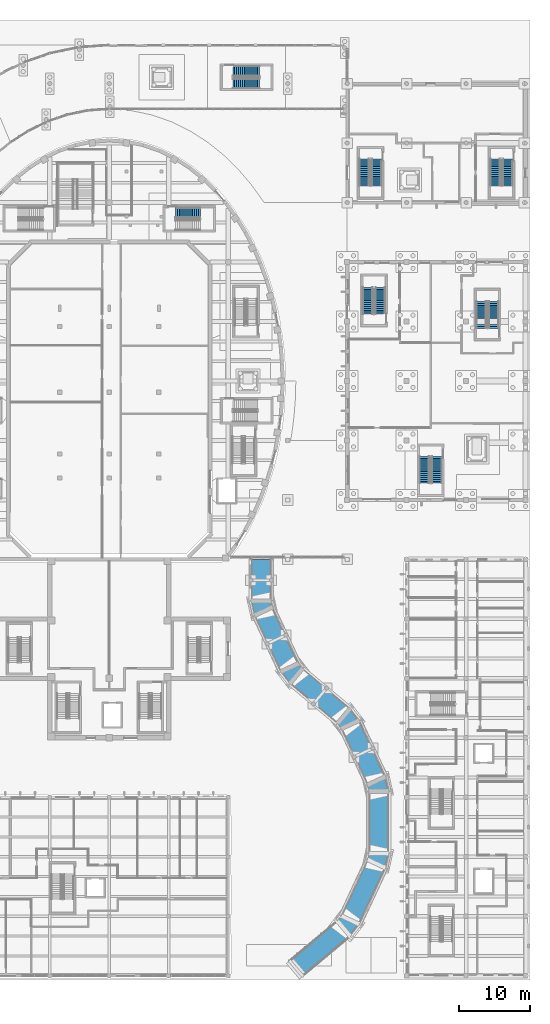
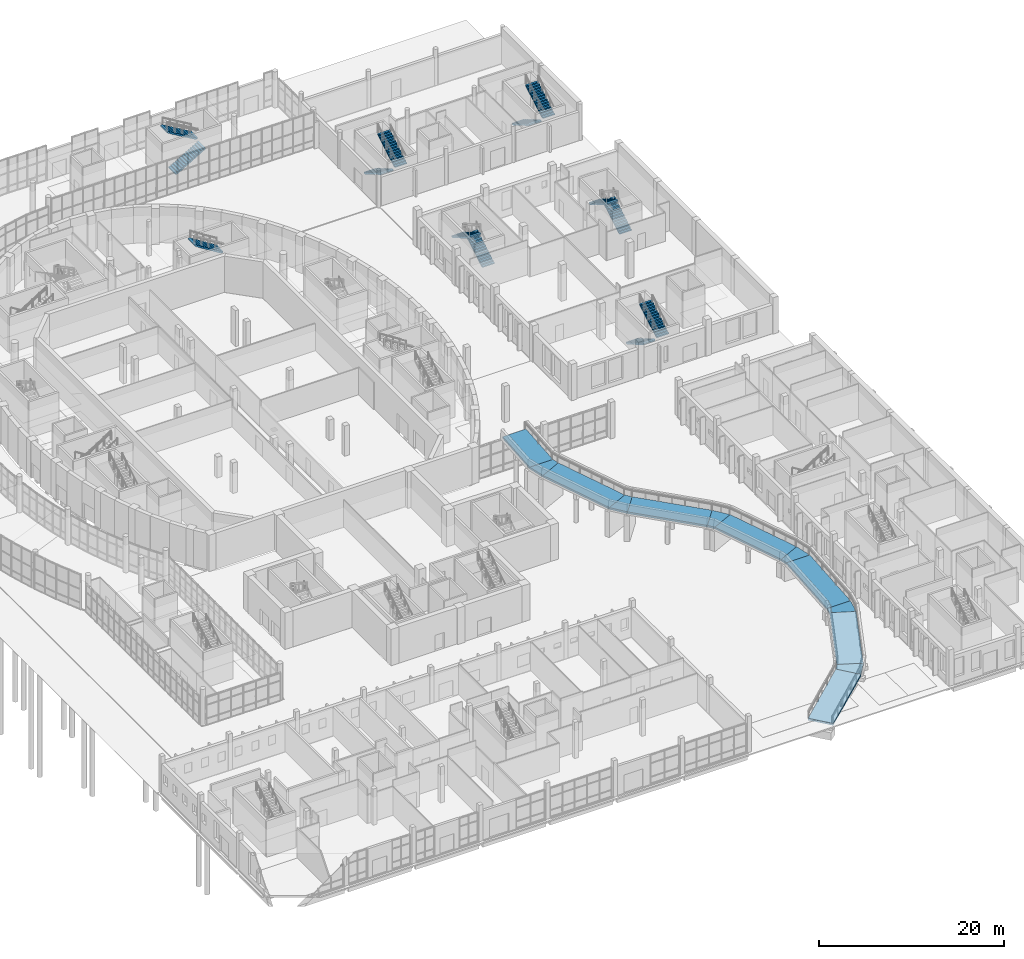
# One storey, part 71 of 110: 13 ramp flights, 13 stair flights, 8 elements without a shape of their own.
"""IFC4 building model written with IfcOpenShell, lengths in metres."""

from ifc_helpers import new_model, si_unit, direction, frame, origin, place, context, subcontext, project, spatial, polyline, outline, extrude, material, layer, layer_set, type_object, element, aggregate, save


model = new_model("IFC4")

# Units and contexts
model_context = context("Model", 3, precision=1e-05, world=origin(), true_north=direction((0.0, 1.0)))
body_context = subcontext(model_context, "Body", "Model", "MODEL_VIEW")
ifc_project = project(units=[si_unit("LENGTHUNIT", "METRE"), si_unit("AREAUNIT", "SQUARE_METRE"), si_unit("VOLUMEUNIT", "CUBIC_METRE"), si_unit("PLANEANGLEUNIT", "RADIAN"), si_unit("MASSUNIT", "GRAM", prefix="KILO")], contexts=[model_context])

# Site, building, storey
site_placement = place(None, origin())
site = spatial("IfcSite", under=ifc_project, at=site_placement, CompositionType="ELEMENT")
building_placement = place(site_placement, origin())
building = spatial("IfcBuilding", under=site, at=building_placement, Name="Larchfold Concert Hall", CompositionType="ELEMENT")
storey_placement = place(building_placement, origin())
storey = spatial("IfcBuildingStorey", under=building, at=storey_placement, Name="L00", CompositionType="ELEMENT", Elevation=0.0)

# Stair, stair flights
ifc_material_1 = material(Name="Concrete C35/45", Category="concrete")
stair_type = type_object("IfcStairType", Name="Stair RC half-turn enclosed", PredefinedType="HALF_TURN_STAIR", material=ifc_material_1)
stair_1_placement = place(storey_placement, origin())
stair_1 = element("IfcStair", 1, at=stair_1_placement, inside=storey, type_object=stair_type, Name="Stair CH1", PredefinedType="HALF_TURN_STAIR")
ifc_material_2 = material(Name="Concrete C35/45", Category="concrete")
stair_flight_type_1 = type_object("IfcStairFlightType", Name="Stair flight RC 1500 x 160.0", PredefinedType="STRAIGHT", material=ifc_material_2)
stair_flight_1_placement = place(storey_placement, frame((87.14990234375, 73.949951171875, 0.0), z_axis=(0.0, 0.0, 1.0), x_axis=(0.0, -1.0, 0.0)))
stair_flight_1 = element("IfcStairFlight", 2, at=stair_flight_1_placement, type_object=stair_flight_type_1, Name="ST16 flight 1", NumberOfRisers=15, NumberOfTreads=14, PredefinedType="STRAIGHT", RiserHeight=0.16, TreadLength=0.27, context=body_context, shape_type="SweptSolid", body=[
    extrude(outline(polyline([(0.0, 0.0), (0.0, 0.159912109375), (0.27001953125, 0.159912109375), (0.27001953125, 0.320068359375), (0.5400390625, 0.320068359375), (0.5400390625, 0.47998046875), (0.81005859375, 0.47998046875), (0.81005859375, 0.639892578125), (1.080078125, 0.639892578125), (1.080078125, 0.800048828125), (1.35009765625, 0.800048828125), (1.35009765625, 0.9599609375), (1.6201171875, 0.9599609375), (1.6201171875, 1.1201171875), (1.889892578125, 1.1201171875), (1.889892578125, 1.280029296875), (2.159912109375, 1.280029296875), (2.159912109375, 1.43994140625), (2.429931640625, 1.43994140625), (2.429931640625, 1.60009765625), (2.699951171875, 1.60009765625), (2.699951171875, 1.760009765625), (2.969970703125, 1.760009765625), (2.969970703125, 1.919921875), (3.239990234375, 1.919921875), (3.239990234375, 2.080078125), (3.510009765625, 2.080078125), (3.510009765625, 2.239990234375), (3.780029296875, 2.239990234375), (3.780029296875, 2.39990234375), (3.780029296875, 2.065673828125), (0.2939453125, 0.0), (0.0, 0.0)])), frame((0.0, 0.75, 0.0), z_axis=(0.0, -1.0, 0.0), x_axis=(1.0, 0.0, 0.0)), (0.0, 0.0, 1.0), 1.5),
])
stair_flight_2_placement = place(storey_placement, frame((88.849853515625, 70.169921875, 2.39990234375), z_axis=(0.0, 0.0, 1.0), x_axis=(0.0, 1.0, 0.0)))
stair_flight_2 = element("IfcStairFlight", 3, at=stair_flight_2_placement, type_object=stair_flight_type_1, Name="ST16 flight 2", NumberOfRisers=15, NumberOfTreads=14, PredefinedType="STRAIGHT", RiserHeight=0.16, TreadLength=0.27, context=body_context, shape_type="SweptSolid", body=[
    extrude(outline(polyline([(0.0, 0.0), (0.0, 0.159912109375), (0.27001953125, 0.159912109375), (0.27001953125, 0.320068359375), (0.5400390625, 0.320068359375), (0.5400390625, 0.47998046875), (0.81005859375, 0.47998046875), (0.81005859375, 0.639892578125), (1.080078125, 0.639892578125), (1.080078125, 0.800048828125), (1.35009765625, 0.800048828125), (1.35009765625, 0.9599609375), (1.6201171875, 0.9599609375), (1.6201171875, 1.1201171875), (1.889892578125, 1.1201171875), (1.889892578125, 1.280029296875), (2.159912109375, 1.280029296875), (2.159912109375, 1.43994140625), (2.429931640625, 1.43994140625), (2.429931640625, 1.60009765625), (2.699951171875, 1.60009765625), (2.699951171875, 1.760009765625), (2.969970703125, 1.760009765625), (2.969970703125, 1.919921875), (3.239990234375, 1.919921875), (3.239990234375, 2.080078125), (3.510009765625, 2.080078125), (3.510009765625, 2.239990234375), (3.780029296875, 2.239990234375), (3.780029296875, 2.39990234375), (3.780029296875, 2.065673828125), (0.2939453125, 0.0), (0.0, 0.0)])), frame((0.0, 0.75, 0.0), z_axis=(0.0, -1.0, 0.0), x_axis=(1.0, 0.0, 0.0)), (0.0, 0.0, 1.0), 1.5),
])
aggregate(stair_1, [stair_flight_1, stair_flight_2])

stair_2_placement = place(storey_placement, origin())
stair_2 = element("IfcStair", 4, at=stair_2_placement, inside=storey, type_object=stair_type, Name="Stair CH2", PredefinedType="HALF_TURN_STAIR")
stair_flight_3_placement = place(storey_placement, frame((80.85009765625, 94.050048828125, 0.0), z_axis=(0.0, 0.0, 1.0), x_axis=(0.0, 1.0, 0.0)))
stair_flight_3 = element("IfcStairFlight", 5, at=stair_flight_3_placement, type_object=stair_flight_type_1, Name="ST17 flight 1", NumberOfRisers=15, NumberOfTreads=14, PredefinedType="STRAIGHT", RiserHeight=0.16, TreadLength=0.27, context=body_context, shape_type="SweptSolid", body=[
    extrude(outline(polyline([(0.0, 0.0), (0.0, 0.159912109375), (0.27001953125, 0.159912109375), (0.27001953125, 0.320068359375), (0.5400390625, 0.320068359375), (0.5400390625, 0.47998046875), (0.81005859375, 0.47998046875), (0.81005859375, 0.639892578125), (1.080078125, 0.639892578125), (1.080078125, 0.800048828125), (1.35009765625, 0.800048828125), (1.35009765625, 0.9599609375), (1.6201171875, 0.9599609375), (1.6201171875, 1.1201171875), (1.889892578125, 1.1201171875), (1.889892578125, 1.280029296875), (2.159912109375, 1.280029296875), (2.159912109375, 1.43994140625), (2.429931640625, 1.43994140625), (2.429931640625, 1.60009765625), (2.699951171875, 1.60009765625), (2.699951171875, 1.760009765625), (2.969970703125, 1.760009765625), (2.969970703125, 1.919921875), (3.239990234375, 1.919921875), (3.239990234375, 2.080078125), (3.510009765625, 2.080078125), (3.510009765625, 2.239990234375), (3.780029296875, 2.239990234375), (3.780029296875, 2.39990234375), (3.780029296875, 2.065673828125), (0.2939453125, 0.0), (0.0, 0.0)])), frame((0.0, 0.75, 0.0), z_axis=(0.0, -1.0, 0.0), x_axis=(1.0, 0.0, 0.0)), (0.0, 0.0, 1.0), 1.5),
])
stair_flight_4_placement = place(storey_placement, frame((79.150146484375, 97.830078125, 2.39990234375), z_axis=(0.0, 0.0, 1.0), x_axis=(0.0, -1.0, 0.0)))
stair_flight_4 = element("IfcStairFlight", 6, at=stair_flight_4_placement, type_object=stair_flight_type_1, Name="ST17 flight 2", NumberOfRisers=15, NumberOfTreads=14, PredefinedType="STRAIGHT", RiserHeight=0.16, TreadLength=0.27, context=body_context, shape_type="SweptSolid", body=[
    extrude(outline(polyline([(0.0, 0.0), (0.0, 0.159912109375), (0.27001953125, 0.159912109375), (0.27001953125, 0.320068359375), (0.5400390625, 0.320068359375), (0.5400390625, 0.47998046875), (0.81005859375, 0.47998046875), (0.81005859375, 0.639892578125), (1.080078125, 0.639892578125), (1.080078125, 0.800048828125), (1.35009765625, 0.800048828125), (1.35009765625, 0.9599609375), (1.6201171875, 0.9599609375), (1.6201171875, 1.1201171875), (1.889892578125, 1.1201171875), (1.889892578125, 1.280029296875), (2.159912109375, 1.280029296875), (2.159912109375, 1.43994140625), (2.429931640625, 1.43994140625), (2.429931640625, 1.60009765625), (2.699951171875, 1.60009765625), (2.699951171875, 1.760009765625), (2.969970703125, 1.760009765625), (2.969970703125, 1.919921875), (3.239990234375, 1.919921875), (3.239990234375, 2.080078125), (3.510009765625, 2.080078125), (3.510009765625, 2.239990234375), (3.780029296875, 2.239990234375), (3.780029296875, 2.39990234375), (3.780029296875, 2.065673828125), (0.2939453125, 0.0), (0.0, 0.0)])), frame((0.0, 0.75, 0.0), z_axis=(0.0, -1.0, 0.0), x_axis=(1.0, 0.0, 0.0)), (0.0, 0.0, 1.0), 1.5),
])
aggregate(stair_2, [stair_flight_3, stair_flight_4])

stair_3_placement = place(storey_placement, origin())
stair_3 = element("IfcStair", 7, at=stair_3_placement, inside=storey, type_object=stair_type, Name="Stair CH3", PredefinedType="HALF_TURN_STAIR")
stair_flight_5_placement = place(storey_placement, frame((96.85009765625, 92.050048828125, 0.0), z_axis=(0.0, 0.0, 1.0), x_axis=(0.0, 1.0, 0.0)))
stair_flight_5 = element("IfcStairFlight", 8, at=stair_flight_5_placement, type_object=stair_flight_type_1, Name="ST18 flight 1", NumberOfRisers=15, NumberOfTreads=14, PredefinedType="STRAIGHT", RiserHeight=0.16, TreadLength=0.27, context=body_context, shape_type="SweptSolid", body=[
    extrude(outline(polyline([(0.0, 0.0), (0.0, 0.159912109375), (0.27001953125, 0.159912109375), (0.27001953125, 0.320068359375), (0.5400390625, 0.320068359375), (0.5400390625, 0.47998046875), (0.81005859375, 0.47998046875), (0.81005859375, 0.639892578125), (1.080078125, 0.639892578125), (1.080078125, 0.800048828125), (1.35009765625, 0.800048828125), (1.35009765625, 0.9599609375), (1.6201171875, 0.9599609375), (1.6201171875, 1.1201171875), (1.889892578125, 1.1201171875), (1.889892578125, 1.280029296875), (2.159912109375, 1.280029296875), (2.159912109375, 1.43994140625), (2.429931640625, 1.43994140625), (2.429931640625, 1.60009765625), (2.699951171875, 1.60009765625), (2.699951171875, 1.760009765625), (2.969970703125, 1.760009765625), (2.969970703125, 1.919921875), (3.239990234375, 1.919921875), (3.239990234375, 2.080078125), (3.510009765625, 2.080078125), (3.510009765625, 2.239990234375), (3.780029296875, 2.239990234375), (3.780029296875, 2.39990234375), (3.780029296875, 2.065673828125), (0.2939453125, 0.0), (0.0, 0.0)])), frame((0.0, 0.75, 0.0), z_axis=(0.0, -1.0, 0.0), x_axis=(1.0, 0.0, 0.0)), (0.0, 0.0, 1.0), 1.5),
])
stair_flight_6_placement = place(storey_placement, frame((95.150146484375, 95.830078125, 2.39990234375), z_axis=(0.0, 0.0, 1.0), x_axis=(0.0, -1.0, 0.0)))
stair_flight_6 = element("IfcStairFlight", 9, at=stair_flight_6_placement, type_object=stair_flight_type_1, Name="ST18 flight 2", NumberOfRisers=15, NumberOfTreads=14, PredefinedType="STRAIGHT", RiserHeight=0.16, TreadLength=0.27, context=body_context, shape_type="SweptSolid", body=[
    extrude(outline(polyline([(0.0, 0.0), (0.0, 0.159912109375), (0.27001953125, 0.159912109375), (0.27001953125, 0.320068359375), (0.5400390625, 0.320068359375), (0.5400390625, 0.47998046875), (0.81005859375, 0.47998046875), (0.81005859375, 0.639892578125), (1.080078125, 0.639892578125), (1.080078125, 0.800048828125), (1.35009765625, 0.800048828125), (1.35009765625, 0.9599609375), (1.6201171875, 0.9599609375), (1.6201171875, 1.1201171875), (1.889892578125, 1.1201171875), (1.889892578125, 1.280029296875), (2.159912109375, 1.280029296875), (2.159912109375, 1.43994140625), (2.429931640625, 1.43994140625), (2.429931640625, 1.60009765625), (2.699951171875, 1.60009765625), (2.699951171875, 1.760009765625), (2.969970703125, 1.760009765625), (2.969970703125, 1.919921875), (3.239990234375, 1.919921875), (3.239990234375, 2.080078125), (3.510009765625, 2.080078125), (3.510009765625, 2.239990234375), (3.780029296875, 2.239990234375), (3.780029296875, 2.39990234375), (3.780029296875, 2.065673828125), (0.2939453125, 0.0), (0.0, 0.0)])), frame((0.0, 0.75, 0.0), z_axis=(0.0, -1.0, 0.0), x_axis=(1.0, 0.0, 0.0)), (0.0, 0.0, 1.0), 1.5),
])
aggregate(stair_3, [stair_flight_5, stair_flight_6])

stair_4_placement = place(storey_placement, origin())
stair_4 = element("IfcStair", 10, at=stair_4_placement, inside=storey, type_object=stair_type, Name="Stair RH1", PredefinedType="HALF_TURN_STAIR")
stair_flight_7_placement = place(storey_placement, frame((78.64990234375, 115.949951171875, 0.0), z_axis=(0.0, 0.0, 1.0), x_axis=(0.0, -1.0, 0.0)))
stair_flight_7 = element("IfcStairFlight", 11, at=stair_flight_7_placement, type_object=stair_flight_type_1, Name="ST19 flight 1", NumberOfRisers=15, NumberOfTreads=14, PredefinedType="STRAIGHT", RiserHeight=0.16, TreadLength=0.27, context=body_context, shape_type="SweptSolid", body=[
    extrude(outline(polyline([(0.0, 0.0), (0.0, 0.159912109375), (0.27001953125, 0.159912109375), (0.27001953125, 0.320068359375), (0.5400390625, 0.320068359375), (0.5400390625, 0.47998046875), (0.81005859375, 0.47998046875), (0.81005859375, 0.639892578125), (1.080078125, 0.639892578125), (1.080078125, 0.800048828125), (1.35009765625, 0.800048828125), (1.35009765625, 0.9599609375), (1.6201171875, 0.9599609375), (1.6201171875, 1.1201171875), (1.889892578125, 1.1201171875), (1.889892578125, 1.280029296875), (2.159912109375, 1.280029296875), (2.159912109375, 1.43994140625), (2.429931640625, 1.43994140625), (2.429931640625, 1.60009765625), (2.699951171875, 1.60009765625), (2.699951171875, 1.760009765625), (2.969970703125, 1.760009765625), (2.969970703125, 1.919921875), (3.239990234375, 1.919921875), (3.239990234375, 2.080078125), (3.510009765625, 2.080078125), (3.510009765625, 2.239990234375), (3.780029296875, 2.239990234375), (3.780029296875, 2.39990234375), (3.780029296875, 2.065673828125), (0.2939453125, 0.0), (0.0, 0.0)])), frame((0.0, 0.75, 0.0), z_axis=(0.0, -1.0, 0.0), x_axis=(1.0, 0.0, 0.0)), (0.0, 0.0, 1.0), 1.5),
])
stair_flight_8_placement = place(storey_placement, frame((80.349853515625, 112.169921875, 2.39990234375), z_axis=(0.0, 0.0, 1.0), x_axis=(0.0, 1.0, 0.0)))
stair_flight_8 = element("IfcStairFlight", 12, at=stair_flight_8_placement, type_object=stair_flight_type_1, Name="ST19 flight 2", NumberOfRisers=15, NumberOfTreads=14, PredefinedType="STRAIGHT", RiserHeight=0.16, TreadLength=0.27, context=body_context, shape_type="SweptSolid", body=[
    extrude(outline(polyline([(0.0, 0.0), (0.0, 0.159912109375), (0.27001953125, 0.159912109375), (0.27001953125, 0.320068359375), (0.5400390625, 0.320068359375), (0.5400390625, 0.47998046875), (0.81005859375, 0.47998046875), (0.81005859375, 0.639892578125), (1.080078125, 0.639892578125), (1.080078125, 0.800048828125), (1.35009765625, 0.800048828125), (1.35009765625, 0.9599609375), (1.6201171875, 0.9599609375), (1.6201171875, 1.1201171875), (1.889892578125, 1.1201171875), (1.889892578125, 1.280029296875), (2.159912109375, 1.280029296875), (2.159912109375, 1.43994140625), (2.429931640625, 1.43994140625), (2.429931640625, 1.60009765625), (2.699951171875, 1.60009765625), (2.699951171875, 1.760009765625), (2.969970703125, 1.760009765625), (2.969970703125, 1.919921875), (3.239990234375, 1.919921875), (3.239990234375, 2.080078125), (3.510009765625, 2.080078125), (3.510009765625, 2.239990234375), (3.780029296875, 2.239990234375), (3.780029296875, 2.39990234375), (3.780029296875, 2.065673828125), (0.2939453125, 0.0), (0.0, 0.0)])), frame((0.0, 0.75, 0.0), z_axis=(0.0, -1.0, 0.0), x_axis=(1.0, 0.0, 0.0)), (0.0, 0.0, 1.0), 1.5),
])
aggregate(stair_4, [stair_flight_7, stair_flight_8])

stair_5_placement = place(storey_placement, origin())
stair_5 = element("IfcStair", 13, at=stair_5_placement, inside=storey, type_object=stair_type, Name="Stair RH2", PredefinedType="HALF_TURN_STAIR")
stair_flight_9_placement = place(storey_placement, frame((97.14990234375, 115.949951171875, 0.0), z_axis=(0.0, 0.0, 1.0), x_axis=(0.0, -1.0, 0.0)))
stair_flight_9 = element("IfcStairFlight", 14, at=stair_flight_9_placement, type_object=stair_flight_type_1, Name="ST20 flight 1", NumberOfRisers=15, NumberOfTreads=14, PredefinedType="STRAIGHT", RiserHeight=0.16, TreadLength=0.27, context=body_context, shape_type="SweptSolid", body=[
    extrude(outline(polyline([(0.0, 0.0), (0.0, 0.159912109375), (0.27001953125, 0.159912109375), (0.27001953125, 0.320068359375), (0.5400390625, 0.320068359375), (0.5400390625, 0.47998046875), (0.81005859375, 0.47998046875), (0.81005859375, 0.639892578125), (1.080078125, 0.639892578125), (1.080078125, 0.800048828125), (1.35009765625, 0.800048828125), (1.35009765625, 0.9599609375), (1.6201171875, 0.9599609375), (1.6201171875, 1.1201171875), (1.889892578125, 1.1201171875), (1.889892578125, 1.280029296875), (2.159912109375, 1.280029296875), (2.159912109375, 1.43994140625), (2.429931640625, 1.43994140625), (2.429931640625, 1.60009765625), (2.699951171875, 1.60009765625), (2.699951171875, 1.760009765625), (2.969970703125, 1.760009765625), (2.969970703125, 1.919921875), (3.239990234375, 1.919921875), (3.239990234375, 2.080078125), (3.510009765625, 2.080078125), (3.510009765625, 2.239990234375), (3.780029296875, 2.239990234375), (3.780029296875, 2.39990234375), (3.780029296875, 2.065673828125), (0.2939453125, 0.0), (0.0, 0.0)])), frame((0.0, 0.75, 0.0), z_axis=(0.0, -1.0, 0.0), x_axis=(1.0, 0.0, 0.0)), (0.0, 0.0, 1.0), 1.5),
])
stair_flight_10_placement = place(storey_placement, frame((98.849853515625, 112.169921875, 2.39990234375), z_axis=(0.0, 0.0, 1.0), x_axis=(0.0, 1.0, 0.0)))
stair_flight_10 = element("IfcStairFlight", 15, at=stair_flight_10_placement, type_object=stair_flight_type_1, Name="ST20 flight 2", NumberOfRisers=15, NumberOfTreads=14, PredefinedType="STRAIGHT", RiserHeight=0.16, TreadLength=0.27, context=body_context, shape_type="SweptSolid", body=[
    extrude(outline(polyline([(0.0, 0.0), (0.0, 0.159912109375), (0.27001953125, 0.159912109375), (0.27001953125, 0.320068359375), (0.5400390625, 0.320068359375), (0.5400390625, 0.47998046875), (0.81005859375, 0.47998046875), (0.81005859375, 0.639892578125), (1.080078125, 0.639892578125), (1.080078125, 0.800048828125), (1.35009765625, 0.800048828125), (1.35009765625, 0.9599609375), (1.6201171875, 0.9599609375), (1.6201171875, 1.1201171875), (1.889892578125, 1.1201171875), (1.889892578125, 1.280029296875), (2.159912109375, 1.280029296875), (2.159912109375, 1.43994140625), (2.429931640625, 1.43994140625), (2.429931640625, 1.60009765625), (2.699951171875, 1.60009765625), (2.699951171875, 1.760009765625), (2.969970703125, 1.760009765625), (2.969970703125, 1.919921875), (3.239990234375, 1.919921875), (3.239990234375, 2.080078125), (3.510009765625, 2.080078125), (3.510009765625, 2.239990234375), (3.780029296875, 2.239990234375), (3.780029296875, 2.39990234375), (3.780029296875, 2.065673828125), (0.2939453125, 0.0), (0.0, 0.0)])), frame((0.0, 0.75, 0.0), z_axis=(0.0, -1.0, 0.0), x_axis=(1.0, 0.0, 0.0)), (0.0, 0.0, 1.0), 1.5),
])
aggregate(stair_5, [stair_flight_9, stair_flight_10])

stair_6_placement = place(storey_placement, origin())
stair_6 = element("IfcStair", 16, at=stair_6_placement, inside=storey, type_object=stair_type, Name="Stair WG4", PredefinedType="HALF_TURN_STAIR")
stair_flight_11_placement = place(storey_placement, frame((60.050048828125, 126.64990234375, 0.0), z_axis=(0.0, 0.0, 1.0), x_axis=(1.0, 0.0, 0.0)))
stair_flight_11 = element("IfcStairFlight", 17, at=stair_flight_11_placement, type_object=stair_flight_type_1, Name="ST26 flight 1", NumberOfRisers=15, NumberOfTreads=14, PredefinedType="STRAIGHT", RiserHeight=0.16, TreadLength=0.27, context=body_context, shape_type="SweptSolid", body=[
    extrude(outline(polyline([(0.0, 0.0), (0.0, 0.159912109375), (0.27001953125, 0.159912109375), (0.27001953125, 0.320068359375), (0.5400390625, 0.320068359375), (0.5400390625, 0.47998046875), (0.81005859375, 0.47998046875), (0.81005859375, 0.639892578125), (1.080078125, 0.639892578125), (1.080078125, 0.800048828125), (1.35009765625, 0.800048828125), (1.35009765625, 0.9599609375), (1.6201171875, 0.9599609375), (1.6201171875, 1.1201171875), (1.889892578125, 1.1201171875), (1.889892578125, 1.280029296875), (2.159912109375, 1.280029296875), (2.159912109375, 1.43994140625), (2.429931640625, 1.43994140625), (2.429931640625, 1.60009765625), (2.699951171875, 1.60009765625), (2.699951171875, 1.760009765625), (2.969970703125, 1.760009765625), (2.969970703125, 1.919921875), (3.239990234375, 1.919921875), (3.239990234375, 2.080078125), (3.510009765625, 2.080078125), (3.510009765625, 2.239990234375), (3.780029296875, 2.239990234375), (3.780029296875, 2.39990234375), (3.780029296875, 2.065673828125), (0.2939453125, 0.0), (0.0, 0.0)])), frame((0.0, 0.75, 0.0), z_axis=(0.0, -1.0, 0.0), x_axis=(1.0, 0.0, 0.0)), (0.0, 0.0, 1.0), 1.5),
])
stair_flight_12_placement = place(storey_placement, frame((63.830078125, 128.349853515625, 2.39990234375), z_axis=(0.0, 0.0, 1.0), x_axis=(-1.0, 0.0, 0.0)))
stair_flight_12 = element("IfcStairFlight", 18, at=stair_flight_12_placement, type_object=stair_flight_type_1, Name="ST26 flight 2", NumberOfRisers=15, NumberOfTreads=14, PredefinedType="STRAIGHT", RiserHeight=0.16, TreadLength=0.27, context=body_context, shape_type="SweptSolid", body=[
    extrude(outline(polyline([(0.0, 0.0), (0.0, 0.159912109375), (0.27001953125, 0.159912109375), (0.27001953125, 0.320068359375), (0.5400390625, 0.320068359375), (0.5400390625, 0.47998046875), (0.81005859375, 0.47998046875), (0.81005859375, 0.639892578125), (1.080078125, 0.639892578125), (1.080078125, 0.800048828125), (1.35009765625, 0.800048828125), (1.35009765625, 0.9599609375), (1.6201171875, 0.9599609375), (1.6201171875, 1.1201171875), (1.889892578125, 1.1201171875), (1.889892578125, 1.280029296875), (2.159912109375, 1.280029296875), (2.159912109375, 1.43994140625), (2.429931640625, 1.43994140625), (2.429931640625, 1.60009765625), (2.699951171875, 1.60009765625), (2.699951171875, 1.760009765625), (2.969970703125, 1.760009765625), (2.969970703125, 1.919921875), (3.239990234375, 1.919921875), (3.239990234375, 2.080078125), (3.510009765625, 2.080078125), (3.510009765625, 2.239990234375), (3.780029296875, 2.239990234375), (3.780029296875, 2.39990234375), (3.780029296875, 2.065673828125), (0.2939453125, 0.0), (0.0, 0.0)])), frame((0.0, 0.75, 0.0), z_axis=(0.0, -1.0, 0.0), x_axis=(1.0, 0.0, 0.0)), (0.0, 0.0, 1.0), 1.5),
])
aggregate(stair_6, [stair_flight_11, stair_flight_12])

# Stair, stair flight
stair_7_placement = place(storey_placement, origin())
stair_7 = element("IfcStair", 19, at=stair_7_placement, inside=storey, type_object=stair_type, Name="Stair DS2", PredefinedType="HALF_TURN_STAIR")
ifc_material_3 = material(Name="Concrete C35/45", Category="concrete")
stair_flight_type_2 = type_object("IfcStairFlightType", Name="Stair flight RC 1500 x 171.4", PredefinedType="STRAIGHT", material=ifc_material_3)
stair_flight_13_placement = place(storey_placement, frame((55.4599609375, 108.349853515625, 2.39990234375), z_axis=(0.0, 0.0, 1.0), x_axis=(-1.0, 0.0, 0.0)))
stair_flight_13 = element("IfcStairFlight", 20, at=stair_flight_13_placement, type_object=stair_flight_type_2, Name="ST02 flight 2", NumberOfRisers=14, NumberOfTreads=13, PredefinedType="STRAIGHT", RiserHeight=0.171428571, TreadLength=0.27, context=body_context, shape_type="SweptSolid", body=[
    extrude(outline(polyline([(0.0, 0.0), (0.0, 0.17138671875), (0.27001953125, 0.17138671875), (0.27001953125, 0.3427734375), (0.5400390625, 0.3427734375), (0.5400390625, 0.514404296875), (0.81005859375, 0.514404296875), (0.81005859375, 0.685791015625), (1.080078125, 0.685791015625), (1.080078125, 0.857177734375), (1.35009765625, 0.857177734375), (1.35009765625, 1.028564453125), (1.6201171875, 1.028564453125), (1.6201171875, 1.199951171875), (1.889892578125, 1.199951171875), (1.889892578125, 1.371337890625), (2.159912109375, 1.371337890625), (2.159912109375, 1.54296875), (2.429931640625, 1.54296875), (2.429931640625, 1.71435546875), (2.699951171875, 1.71435546875), (2.699951171875, 1.8857421875), (2.969970703125, 1.8857421875), (2.969970703125, 2.05712890625), (3.239990234375, 2.05712890625), (3.239990234375, 2.228515625), (3.510009765625, 2.228515625), (3.510009765625, 2.39990234375), (3.510009765625, 2.051025390625), (0.27978515625, 0.0), (0.0, 0.0)])), frame((0.0, 0.75, 0.0), z_axis=(0.0, -1.0, 0.0), x_axis=(1.0, 0.0, 0.0)), (0.0, 0.0, 1.0), 1.5),
])
aggregate(stair_7, [stair_flight_13])

# Ramp, ramp flights
ifc_material_4 = material(Name="Concrete C35/45", Category="concrete")
ramp_type = type_object("IfcRampType", Name="Ramp", PredefinedType="TWO_STRAIGHT_RUN_RAMP", material=ifc_material_4)
ramp_placement = place(storey_placement, origin())
ramp = element("IfcRamp", 21, at=ramp_placement, inside=storey, type_object=ramp_type, Name="Forecourt ramp", PredefinedType="TWO_STRAIGHT_RUN_RAMP")
ifc_material_5 = material(Name="Concrete C35/45", Category="concrete")
ifc_layer = layer(ifc_material_5, 0.25)
ifc_layer_set = layer_set([ifc_layer], Name="Concrete C35/45")
ramp_flight_type = type_object("IfcRampFlightType", Name="Straight ramp flight 250", PredefinedType="STRAIGHT", material=ifc_layer_set)
ramp_flight_1_placement = place(storey_placement, frame((68.06787109375, 2.731689453125, 0.0), z_axis=(-0.062577119012, -0.052509767118, 0.996657829214), x_axis=(0.763487793167, 0.640635011704, 0.08168948197)))
ramp_flight_1 = element("IfcRampFlight", 22, at=ramp_flight_1_placement, type_object=ramp_flight_type, Name="Ramp piece RF01", PredefinedType="STRAIGHT", context=body_context, shape_type="SweptSolid", body=[
    extrude(outline(polyline([(0.0, 0.0), (8.813505554996896, 9.821516430003063e-17), (8.81355784555376, -2.9002272018900666), (5.229055686495343e-05, -2.9002272018900666), (0.0, 0.0)])), origin(), (-0.08168948197, -1.472846e-06, -0.996657829214), 0.25),
])
ramp_flight_2_placement = place(storey_placement, frame((74.796875, 8.3779296875, 0.719970703125), z_axis=(0.0, 0.0, 1.0), x_axis=(0.608695898449, 0.793403619358, 0.0)))
ramp_flight_2 = element("IfcRampFlight", 23, at=ramp_flight_2_placement, type_object=ramp_flight_type, Name="Ramp piece RL01", PredefinedType="STRAIGHT", context=body_context, shape_type="SweptSolid", body=[
    extrude(outline(polyline([(0.0, 0.0), (0.8723664160176452, 5.551115123125783e-17), (1.4998893343595476, -2.8314054629461483), (-0.627877526337699, -2.8310938998515756), (0.0, 0.0)])), origin(), (0.0, 0.0, -1.0), 0.25),
])
ramp_flight_3_placement = place(storey_placement, frame((75.327880859375, 9.070068359375, 0.719970703125), z_axis=(-0.034522591169, -0.074037891739, 0.996657705176), x_axis=(0.42119755292, 0.903282460087, 0.081690995302)))
ramp_flight_3 = element("IfcRampFlight", 24, at=ramp_flight_3_placement, type_object=ramp_flight_type, Name="Ramp piece RF02", PredefinedType="STRAIGHT", context=body_context, shape_type="SweptSolid", body=[
    extrude(outline(polyline([(0.0, 0.0), (8.813342284133345, -3.193153274888734e-16), (8.813375219949373, -2.900110671605631), (3.29358160273685e-05, -2.900110671605631), (0.0, 0.0)])), origin(), (-0.081690995302, -9.27744e-07, -0.996657705176), 0.25),
])
ramp_flight_4_placement = place(storey_placement, frame((79.040283203125, 17.031005859375, 1.43994140625), z_axis=(0.0, 0.0, 1.0), x_axis=(0.216308204627, 0.976325130585, 0.0)))
ramp_flight_4 = element("IfcRampFlight", 25, at=ramp_flight_4_placement, type_object=ramp_flight_type, Name="Ramp piece RL02", PredefinedType="STRAIGHT", context=body_context, shape_type="SweptSolid", body=[
    extrude(outline(polyline([(0.0, 0.0), (0.8724620661099498, 0.0), (1.4997347356787916, -2.8312475344446173), (-0.6280747882643035, -2.8310564496996036), (0.0, 0.0)])), origin(), (0.0, 0.0, -1.0), 0.25),
])
ramp_flight_5_placement = place(storey_placement, frame((79.22900390625, 17.8828125, 1.43994140625), z_axis=(0.0, -0.081690532931, 0.996657743074), x_axis=(0.0, 0.996657743074, 0.081690532931)))
ramp_flight_5 = element("IfcRampFlight", 26, at=ramp_flight_5_placement, type_object=ramp_flight_type, Name="Ramp piece RF03", PredefinedType="STRAIGHT", context=body_context, shape_type="SweptSolid", body=[
    extrude(outline(polyline([(0.0, 0.0), (8.813392167889305, 0.0), (8.813392167889305, -2.8999023437500004), (0.0, -2.8999023437500004), (0.0, 0.0)])), origin(), (-0.081690532931, 0.0, -0.996657743074), 0.25),
])
ramp_flight_6_placement = place(storey_placement, frame((79.22900390625, 26.666748046875, 2.159912109375), z_axis=(0.0, 0.0, 1.0), x_axis=(-0.216367316771, 0.976312032208, 0.0)))
ramp_flight_6 = element("IfcRampFlight", 27, at=ramp_flight_6_placement, type_object=ramp_flight_type, Name="Ramp piece RL03", PredefinedType="STRAIGHT", context=body_context, shape_type="SweptSolid", body=[
    extrude(outline(polyline([(0.0, 0.0), (0.8722237070810701, 0.0), (1.500127085168186, -2.8310944719005335), (-0.6274440890145039, -2.831209550430258), (0.0, 0.0)])), origin(), (0.0, 0.0, -1.0), 0.25),
])
ramp_flight_7_placement = place(storey_placement, frame((79.0400390625, 27.518310546875, 2.159912109375), z_axis=(0.034522591169, -0.074037891739, 0.996657705176), x_axis=(-0.42119755292, 0.903282460087, 0.081690995302)))
ramp_flight_7 = element("IfcRampFlight", 28, at=ramp_flight_7_placement, type_object=ramp_flight_type, Name="Ramp piece RF04", PredefinedType="STRAIGHT", context=body_context, shape_type="SweptSolid", body=[
    extrude(outline(polyline([(0.0, 0.0), (8.813342284133345, 3.193153274888734e-16), (8.813309348317318, -2.9001106716056304), (-3.29358160273685e-05, -2.900110671605631), (0.0, 0.0)])), origin(), (-0.081690995302, 9.27744e-07, -0.996657705176), 0.25),
])
ramp_flight_8_placement = place(storey_placement, frame((75.327880859375, 35.479248046875, 2.8798828125), z_axis=(0.0, 0.0, 1.0), x_axis=(-0.608695898449, 0.793403619358, 0.0)))
ramp_flight_8 = element("IfcRampFlight", 29, at=ramp_flight_8_placement, type_object=ramp_flight_type, Name="Ramp piece RL04", PredefinedType="STRAIGHT", context=body_context, shape_type="SweptSolid", body=[
    extrude(outline(polyline([(0.0, 0.0), (0.8723664160176452, -5.551115123125783e-17), (1.5002439423553442, -2.8310938998515756), (-0.6275229183419027, -2.8314054629461483), (0.0, 0.0)])), origin(), (0.0, 0.0, -1.0), 0.25),
])
ramp_flight_9_placement = place(storey_placement, frame((74.796875, 36.17138671875, 2.8798828125), z_axis=(0.062598197113, -0.052527454193, 0.996655573543), x_axis=(-0.763486065215, 0.640633561796, 0.081716997764)))
ramp_flight_9 = element("IfcRampFlight", 30, at=ramp_flight_9_placement, type_object=ramp_flight_type, Name="Ramp piece RF05", PredefinedType="STRAIGHT", context=body_context, shape_type="SweptSolid", body=[
    extrude(outline(polyline([(0.0, 0.0), (8.813525502076946, -2.459580390919147e-16), (8.813473211638426, -2.9002272018900683), (-5.229043851917581e-05, -2.9002272018900683), (0.0, 0.0)])), origin(), (-0.081716997764, 1.473339e-06, -0.996655573543), 0.25),
])
ramp_flight_10_placement = place(storey_placement, frame((68.06787109375, 41.817626953125, 3.60009765625), z_axis=(0.0, 0.0, 1.0), x_axis=(-0.608739848715, 0.793369898967, 0.0)))
ramp_flight_10 = element("IfcRampFlight", 31, at=ramp_flight_10_placement, type_object=ramp_flight_type, Name="Ramp piece RL05", PredefinedType="STRAIGHT", context=body_context, shape_type="SweptSolid", body=[
    extrude(outline(polyline([(0.0, 0.0), (2.127618256564666, 0.0), (1.4999384913164637, -2.831370696490234), (0.6277657704603194, -2.8314709892131593), (0.0, 0.0)])), origin(), (0.0, 0.0, -1.0), 0.25),
])
ramp_flight_11_placement = place(storey_placement, frame((66.772705078125, 43.505615234375, 3.60009765625), z_axis=(0.034522188385, -0.074037027918, 0.996657783297), x_axis=(-0.421220339368, 0.903271920696, 0.081690042141)))
ramp_flight_11 = element("IfcRampFlight", 32, at=ramp_flight_11_placement, type_object=ramp_flight_type, Name="Ramp piece RF06", PredefinedType="STRAIGHT", context=body_context, shape_type="SweptSolid", body=[
    extrude(outline(polyline([(0.0, 0.0), (8.81344511834873, -7.806340345190357e-17), (8.813339373295213, -2.9001106698647923), (-0.0001057450535171256, -2.900110669864792), (0.0, 0.0)])), origin(), (-0.081690042141, 2.978617e-06, -0.996657783297), 0.25),
])
ramp_flight_12_placement = place(storey_placement, frame((63.060546875, 51.466552734375, 4.320068359375), z_axis=(0.0, 0.0, 1.0), x_axis=(-0.216505242245, 0.97628145536, 0.0)))
ramp_flight_12 = element("IfcRampFlight", 33, at=ramp_flight_12_placement, type_object=ramp_flight_type, Name="Ramp piece RL06", PredefinedType="STRAIGHT", context=body_context, shape_type="SweptSolid", body=[
    extrude(outline(polyline([(0.0, 0.0), (2.127862376898717, 5.551115123125783e-17), (1.4999654597524115, -2.8313592305235376), (0.6275034114107397, -2.831183150152398), (0.0, 0.0)])), origin(), (0.0, 0.0, -1.0), 0.25),
])
ramp_flight_13_placement = place(storey_placement, frame((62.599853515625, 53.5439453125, 4.320068359375), z_axis=(0.0, -0.081690532931, 0.996657743074), x_axis=(0.0, 0.996657743074, 0.081690532931)))
ramp_flight_13 = element("IfcRampFlight", 34, at=ramp_flight_13_placement, type_object=ramp_flight_type, Name="Ramp piece RF07", PredefinedType="STRAIGHT", context=body_context, shape_type="SweptSolid", body=[
    extrude(outline(polyline([(0.0, 0.0), (5.875594778592869, 0.0), (5.875594778592869, -2.89990234375), (0.0, -2.89990234375), (0.0, 0.0)])), origin(), (-0.081690532931, 0.0, -0.996657743074), 0.25),
])
aggregate(ramp, [ramp_flight_1, ramp_flight_2, ramp_flight_3, ramp_flight_4, ramp_flight_5, ramp_flight_6, ramp_flight_7, ramp_flight_8, ramp_flight_9, ramp_flight_10, ramp_flight_11, ramp_flight_12, ramp_flight_13])

save(model, "model.ifc")
